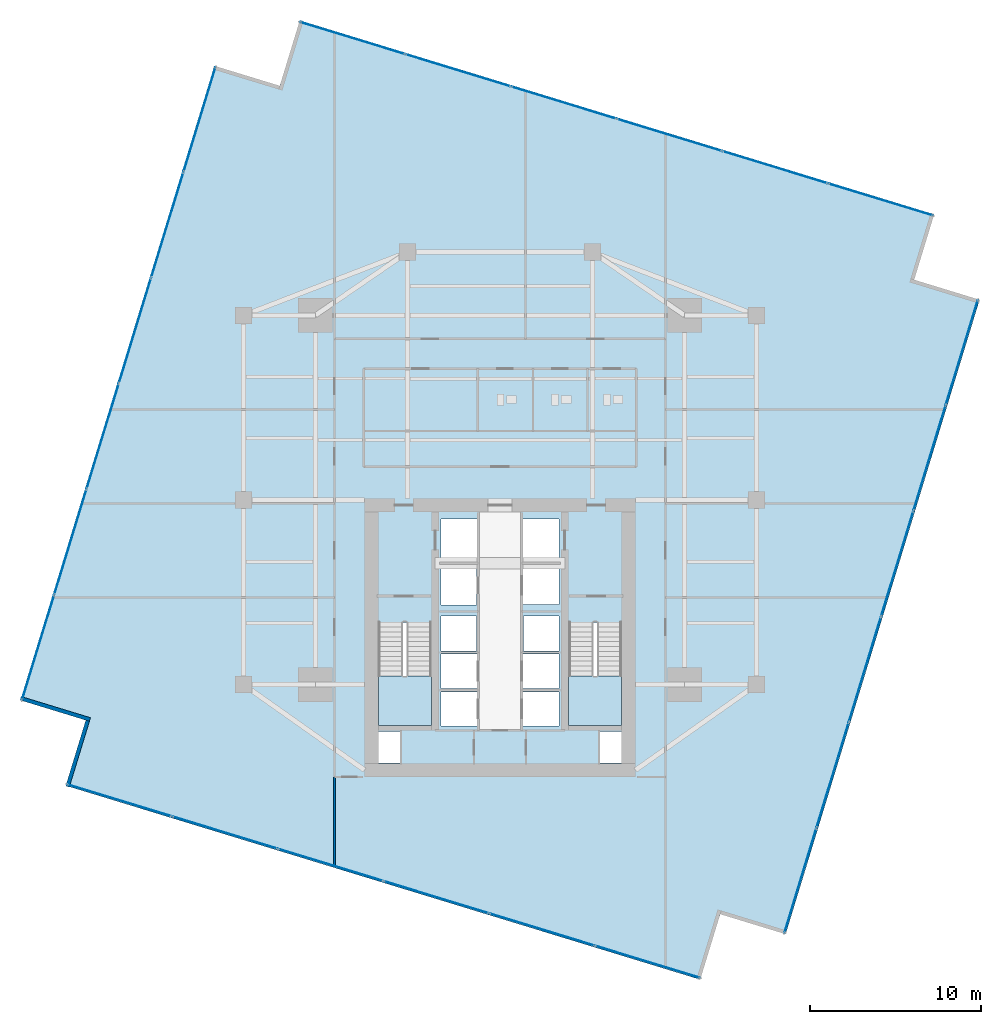
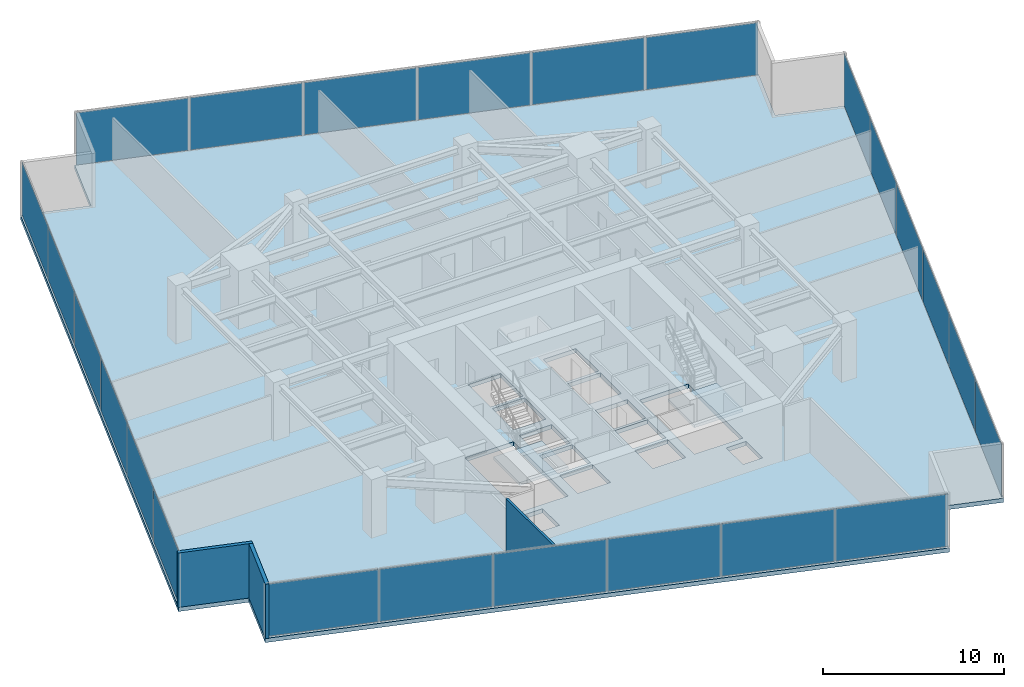
# One storey, part 21 of 26: 24 plates, 3 slabs, 3 walls, 6 elements without a shape of their own.
"""IFC4 building model written with IfcOpenShell, lengths in metres."""

import ifcopenshell
import ifcopenshell.guid

model = None  # the IFC model being written
_history = None  # IfcOwnerHistory: only IFC2X3 demands one
_inside = {}  # id of a spatial element -> (the spatial element, [elements in it])
_under = {}  # id of a project, library or spatial element -> (it, [spatial elements below it])
_declared = {}  # id of a project -> (the project, [libraries it declares])
_typed = {}  # id of a type object -> (the type object, [elements of that type])
_made_of = {}  # id of a material, layer set ... -> (it, [elements and type objects made of it])


def new_model(schema):
    """Start an empty IFC model of exactly this schema.

    Asked for "IFC4X3", IfcOpenShell would pick the latest addendum, in which some entities
    have other attributes; the version numbers below select the first issue.
    IFC2X3 requires an IfcOwnerHistory on every rooted entity: one is made here for all.
    """
    global model, _history
    if schema == "IFC4X3":
        model = ifcopenshell.file(schema_version=(4, 3, 0, 0))
    else:
        model = ifcopenshell.file(schema=schema)
    _inside.clear()
    _under.clear()
    _declared.clear()
    _typed.clear()
    _made_of.clear()
    _history = None
    if model.schema == "IFC2X3":
        org = make("IfcOrganization", Name="unknown")
        user = make(
            "IfcPersonAndOrganization",
            ThePerson=make("IfcPerson", FamilyName="unknown"),
            TheOrganization=org,
        )
        app = make(
            "IfcApplication",
            ApplicationDeveloper=org,
            Version="unknown",
            ApplicationFullName="unknown",
            ApplicationIdentifier="unknown",
        )
        _history = make(
            "IfcOwnerHistory",
            OwningUser=user,
            OwningApplication=app,
            ChangeAction="ADDED",
            CreationDate=0,
        )
    return model


def make(cls, **values):
    """One entity of the class cls with the attributes given. An attribute that is None is left unset."""
    return model.create_entity(
        cls, **{name: value for name, value in values.items() if value is not None}
    )


def rooted(cls, **values):
    """An entity with a GlobalId (a new one), such as an element, a storey or a relation."""
    return make(cls, GlobalId=ifcopenshell.guid.new(), OwnerHistory=_history, **values)


def si_unit(unit_type, name, prefix=None):
    """IfcSIUnit, for example si_unit("LENGTHUNIT", "METRE", prefix="MILLI")."""
    return make("IfcSIUnit", UnitType=unit_type, Prefix=prefix, Name=name)


def assignment(units):
    """IfcUnitAssignment: the units of a project."""
    return None if units is None else make("IfcUnitAssignment", Units=units)


def point(xyz):
    """IfcCartesianPoint."""
    return None if xyz is None else make("IfcCartesianPoint", Coordinates=xyz)


def direction(xyz):
    """IfcDirection."""
    return None if xyz is None else make("IfcDirection", DirectionRatios=xyz)


def frame(location, z_axis=None, x_axis=None):
    """IfcAxis2Placement3D, a coordinate frame: its origin and axes. An axis left out is left unset."""
    return make(
        "IfcAxis2Placement3D",
        Location=point(location),
        Axis=direction(z_axis),
        RefDirection=direction(x_axis),
    )


def frame_2d(location, x_axis=None):
    """IfcAxis2Placement2D, a coordinate frame in the plane: its origin and x axis."""
    return make(
        "IfcAxis2Placement2D", Location=point(location), RefDirection=direction(x_axis)
    )


def origin():
    """The frame at (0, 0, 0) with its axes left unset."""
    return frame((0.0, 0.0, 0.0))


def origin_2d():
    """The frame at (0, 0) in the plane with its x axis left unset."""
    return frame_2d((0.0, 0.0))


def place(relative_to, where):
    """IfcLocalPlacement: puts the frame where relative to a parent placement (None: the world)."""
    return make(
        "IfcLocalPlacement", PlacementRelTo=relative_to, RelativePlacement=where
    )


def context(
    kind, dimensions, precision=None, world=None, true_north=None, identifier=None
):
    """IfcGeometricRepresentationContext, for example the 3D "Model" context."""
    return make(
        "IfcGeometricRepresentationContext",
        ContextIdentifier=identifier,
        ContextType=kind,
        CoordinateSpaceDimension=dimensions,
        Precision=precision,
        WorldCoordinateSystem=world,
        TrueNorth=true_north,
    )


def subcontext(parent, identifier, kind, view, scale=None):
    """IfcGeometricRepresentationSubContext, for example "Body" below "Model"."""
    return make(
        "IfcGeometricRepresentationSubContext",
        ContextIdentifier=identifier,
        ContextType=kind,
        ParentContext=parent,
        TargetScale=scale,
        TargetView=view,
    )


def project(units=None, contexts=None):
    """IfcProject with its units and contexts."""
    return rooted(
        "IfcProject",
        Name="project",
        RepresentationContexts=contexts,
        UnitsInContext=assignment(units),
    )


def spatial(cls, under=None, at=None, **own):
    """A site, building, storey or space (cls), placed at a placement, below another one or the project."""
    s = rooted(cls, ObjectPlacement=at, **own)
    if under is not None:
        _under.setdefault(under.id(), (under, []))[1].append(s)
    return s


def polyline(points):
    """IfcPolyline through the points."""
    return make("IfcPolyline", Points=[point(p) for p in points])


def profile(cls, at=None, kind="AREA", **sizes):
    """A parametric profile (cls). Its sizes go by their IFC names, for example OverallWidth=200.0."""
    return make(cls, ProfileType=kind, Position=at, **sizes)


def rectangle(**sizes):
    """IfcRectangleProfileDef."""
    return profile("IfcRectangleProfileDef", **sizes)


def outline(outer, holes=None, kind="AREA"):
    """IfcArbitraryClosedProfileDef: a profile drawn as a closed curve; with holes, ...WithVoids."""
    if holes is None:
        return make("IfcArbitraryClosedProfileDef", ProfileType=kind, OuterCurve=outer)
    return make(
        "IfcArbitraryProfileDefWithVoids",
        ProfileType=kind,
        OuterCurve=outer,
        InnerCurves=holes,
    )


def extrude(swept, where, along, depth):
    """IfcExtrudedAreaSolid: the profile swept, set in the frame where, extruded along a direction by depth."""
    return make(
        "IfcExtrudedAreaSolid",
        SweptArea=swept,
        Position=where,
        ExtrudedDirection=direction(along),
        Depth=depth,
    )


def shape(context_of_items, identifier, shape_type, items):
    """IfcShapeRepresentation: the items that make up one representation, for example the "Body"."""
    return make(
        "IfcShapeRepresentation",
        ContextOfItems=context_of_items,
        RepresentationIdentifier=identifier,
        RepresentationType=shape_type,
        Items=items,
    )


def source(mapping_origin, context_of_items, identifier, shape_type, items):
    """IfcRepresentationMap: a shape defined once, which mapped items show again and again."""
    return make(
        "IfcRepresentationMap",
        MappingOrigin=mapping_origin,
        MappedRepresentation=shape(context_of_items, identifier, shape_type, items),
    )


def transform(
    local_origin,
    x_axis=None,
    y_axis=None,
    z_axis=None,
    scale=None,
    scale2=None,
    scale3=None,
    uniform=True,
):
    """IfcCartesianTransformationOperator3D, or its non-uniform kind. x_axis, y_axis, z_axis: its Axis1, 2, 3."""
    if uniform:
        return make(
            "IfcCartesianTransformationOperator3D",
            Axis1=direction(x_axis),
            Axis2=direction(y_axis),
            LocalOrigin=point(local_origin),
            Scale=scale,
            Axis3=direction(z_axis),
        )
    return make(
        "IfcCartesianTransformationOperator3DnonUniform",
        Axis1=direction(x_axis),
        Axis2=direction(y_axis),
        LocalOrigin=point(local_origin),
        Scale=scale,
        Axis3=direction(z_axis),
        Scale2=scale2,
        Scale3=scale3,
    )


def mapped(mapping_source, mapping_target):
    """IfcMappedItem: shows the shape of a source again, moved by a transform."""
    return make(
        "IfcMappedItem", MappingSource=mapping_source, MappingTarget=mapping_target
    )


def material(Name=None, Category=None):
    """IfcMaterial."""
    return make("IfcMaterial", Name=Name, Category=Category)


def layer(
    of_material, thickness, ventilated=None, Name=None, Category=None, Priority=None
):
    """IfcMaterialLayer: one layer of a wall or slab, of a material (None: an air gap)."""
    return make(
        "IfcMaterialLayer",
        Material=of_material,
        LayerThickness=thickness,
        IsVentilated=ventilated,
        Name=Name,
        Category=Category,
        Priority=Priority,
    )


def layer_set(layers, Name=None):
    """IfcMaterialLayerSet."""
    return make("IfcMaterialLayerSet", MaterialLayers=layers, LayerSetName=Name)


def made_of(thing, what):
    """Note that an element or type object is made of a material, layer set ...; save() writes the relation."""
    if what is not None:
        _made_of.setdefault(what.id(), (what, []))[1].append(thing)
    return thing


def type_object(cls, material=None, **own):
    """A type object (cls), such as IfcWallType, which elements share."""
    return made_of(rooted(cls, **own), material)


def type_shapes(of_type, sources):
    """Give a type object the sources (RepresentationMaps) that its elements show as mapped items."""
    of_type.RepresentationMaps = sources


def element(
    cls,
    number,
    at=None,
    inside=None,
    cuts=None,
    type_object=None,
    material=None,
    context=None,
    identifier="Body",
    shape_type=None,
    held_by="IfcProductDefinitionShape",
    body=None,
    shapes=None,
    **own,
):
    """One element of the class cls, such as IfcWall. Its Tag is "e" and its number.

    at: its placement. inside: the storey or other place that contains it. cuts: it is an
    opening in that element (IfcRelVoidsElement). A single representation is given by context,
    identifier, shape_type and body (its items); several are given by shapes. held_by: the class
    of the entity that holds the representations. save() writes the other relations.
    """
    e = rooted(cls, Tag="e%d" % number, ObjectPlacement=at, **own)
    if body is not None:
        shapes = [shape(context, identifier, shape_type, body)]
    if shapes is not None:
        e.Representation = make(held_by, Representations=shapes)
    if inside is not None:
        _inside.setdefault(inside.id(), (inside, []))[1].append(e)
    if cuts is not None:
        rooted(
            "IfcRelVoidsElement", RelatingBuildingElement=cuts, RelatedOpeningElement=e
        )
    if type_object is not None:
        _typed.setdefault(type_object.id(), (type_object, []))[1].append(e)
    return made_of(e, material)


def aggregate(whole, parts):
    """IfcRelAggregates: a whole, such as a stair, and the parts it consists of."""
    return rooted("IfcRelAggregates", RelatingObject=whole, RelatedObjects=parts)


def save(model, path):
    """Write the relations noted so far, then the file.

    IfcRelAggregates (storeys below a building ...), IfcRelContainedInSpatialStructure (elements
    in a storey), IfcRelDefinesByType, IfcRelAssociatesMaterial and IfcRelDeclares: one each for
    every whole, place, type object, material and project.
    """
    for whole, parts in _under.values():
        aggregate(whole, parts)
    for where, things in _inside.values():
        rooted(
            "IfcRelContainedInSpatialStructure",
            RelatedElements=things,
            RelatingStructure=where,
        )
    for kind, things in _typed.values():
        rooted("IfcRelDefinesByType", RelatedObjects=things, RelatingType=kind)
    for what, things in _made_of.values():
        rooted("IfcRelAssociatesMaterial", RelatedObjects=things, RelatingMaterial=what)
    for by, libraries in _declared.values():
        rooted("IfcRelDeclares", RelatingContext=by, RelatedDefinitions=libraries)
    model.write(path)


model = new_model("IFC4")

# Units and contexts
model_context = context("Model", 3, precision=1e-05, world=origin(), true_north=direction((0.0, 1.0)))
body_context = subcontext(model_context, "Body", "Model", "MODEL_VIEW")
ifc_project = project(units=[si_unit("LENGTHUNIT", "METRE"), si_unit("AREAUNIT", "SQUARE_METRE"), si_unit("VOLUMEUNIT", "CUBIC_METRE"), si_unit("PLANEANGLEUNIT", "RADIAN"), si_unit("MASSUNIT", "GRAM", prefix="KILO")], contexts=[model_context])

# Site, building, storey
site_placement = place(None, origin())
site = spatial("IfcSite", under=ifc_project, at=site_placement, CompositionType="ELEMENT")
building_placement = place(site_placement, origin())
building = spatial("IfcBuilding", under=site, at=building_placement, Name="Krantzveldt Concourse Tower", CompositionType="ELEMENT")
storey_placement = place(building_placement, frame((0.0, 0.0, 109.800048828125)))
storey = spatial("IfcBuildingStorey", under=building, at=storey_placement, Name="L26", CompositionType="ELEMENT", Elevation=109.800048828125)

# Stair, slab
ifc_material_1 = material(Name="Precast concrete C40/50", Category="concrete")
stair_type = type_object("IfcStairType", Name="STR-CORE-DOGLEG", PredefinedType="HALF_TURN_STAIR", material=ifc_material_1)
stair_1_placement = place(storey_placement, origin())
stair_1 = element("IfcStair", 1, at=stair_1_placement, inside=storey, type_object=stair_type, Name="L26 Protected Escape Stair ST-1", PredefinedType="HALF_TURN_STAIR")
ifc_layer_1 = layer(ifc_material_1, 0.199951171875, Name="Precast concrete C40/50", Category="concrete")
ifc_layer_set_1 = layer_set([ifc_layer_1], Name="Precast concrete C40/50 (SL-LANDING-200)")
slab_type_1 = type_object("IfcSlabType", Name="SL-LANDING-200", PredefinedType="LANDING", material=ifc_layer_set_1)
slab_1_placement = place(storey_placement, frame((0.0, 0.0, 1.77490234375)))
slab_1 = element("IfcSlab", 2, at=slab_1_placement, type_object=slab_type_1, Name="ST-1 landing 1", PredefinedType="LANDING", context=body_context, shape_type="SweptSolid", body=[
    extrude(outline(polyline([(28.8798828125, 16.4150390625), (28.8798828125, 13.52001953125), (31.97998046875, 13.52001953125), (31.97998046875, 16.4150390625), (28.8798828125, 16.4150390625)])), origin(), (0.0, 0.0, 1.0), 0.199951171875),
])
aggregate(stair_1, [slab_1])

stair_2_placement = place(storey_placement, origin())
stair_2 = element("IfcStair", 3, at=stair_2_placement, inside=storey, type_object=stair_type, Name="L26 Protected Escape Stair ST-2", PredefinedType="HALF_TURN_STAIR")
slab_2_placement = place(storey_placement, frame((0.0, 0.0, 1.77490234375)))
slab_2 = element("IfcSlab", 4, at=slab_2_placement, type_object=slab_type_1, Name="ST-2 landing 1", PredefinedType="LANDING", context=body_context, shape_type="SweptSolid", body=[
    extrude(outline(polyline([(40.02001953125, 16.4150390625), (40.02001953125, 13.52001953125), (43.1201171875, 13.52001953125), (43.1201171875, 16.4150390625), (40.02001953125, 16.4150390625)])), origin(), (0.0, 0.0, 1.0), 0.199951171875),
])
aggregate(stair_2, [slab_2])

# Slab
ifc_material_2 = material(Name="Concrete C40/50", Category="concrete")
ifc_layer_2 = layer(ifc_material_2, 0.280029296875, Name="Concrete C40/50", Category="concrete")
ifc_layer_set_2 = layer_set([ifc_layer_2], Name="Concrete C40/50 (SL-SL-TWR280)")
slab_type_2 = type_object("IfcSlabType", Name="SL-SL-TWR280", PredefinedType="FLOOR", material=ifc_layer_set_2)
slab_3_placement = place(storey_placement, frame((0.0, 0.0, -0.280029296875)))
element("IfcSlab", 5, at=slab_3_placement, inside=storey, type_object=slab_type_2, Name="SL-L26-MAIN", PredefinedType="FLOOR", context=body_context, shape_type="SweptSolid", body=[
    extrude(outline(polyline([(23.11962890625, 50.92431640625), (19.29443359375, 52.09375), (7.950439453125, 14.9892578125), (11.775634765625, 13.819580078125), (10.606201171875, 9.994384765625), (47.710693359375, -1.349609375), (48.88037109375, 2.4755859375), (52.70556640625, 1.30615234375), (64.049560546875, 38.410888671875), (60.224365234375, 39.580322265625), (61.393798828125, 43.405517578125), (24.289306640625, 54.74951171875), (23.11962890625, 50.92431640625)]), holes=[polyline([(28.8798828125, 19.547607421875), (28.8798828125, 13.52001953125), (31.97998046875, 13.52001953125), (31.97998046875, 19.547607421875), (28.8798828125, 19.547607421875)]), polyline([(40.02001953125, 19.547607421875), (40.02001953125, 13.52001953125), (43.1201171875, 13.52001953125), (43.1201171875, 19.547607421875), (40.02001953125, 19.547607421875)]), polyline([(32.550048828125, 23.10009765625), (34.64990234375, 23.10009765625), (34.64990234375, 25.60009765625), (32.550048828125, 25.60009765625), (32.550048828125, 23.10009765625)]), polyline([(37.35009765625, 23.10009765625), (39.449951171875, 23.10009765625), (39.449951171875, 25.60009765625), (37.35009765625, 25.60009765625), (37.35009765625, 23.10009765625)]), polyline([(37.35009765625, 20.60009765625), (39.449951171875, 20.60009765625), (39.449951171875, 22.89990234375), (37.35009765625, 22.89990234375), (37.35009765625, 20.60009765625)]), polyline([(32.550048828125, 13.47998046875), (34.64990234375, 13.47998046875), (34.64990234375, 15.47998046875), (32.550048828125, 15.47998046875), (32.550048828125, 13.47998046875)]), polyline([(32.550048828125, 15.679931640625), (34.64990234375, 15.679931640625), (34.64990234375, 17.679931640625), (32.550048828125, 17.679931640625), (32.550048828125, 15.679931640625)]), polyline([(37.35009765625, 13.47998046875), (39.449951171875, 13.47998046875), (39.449951171875, 15.47998046875), (37.35009765625, 15.47998046875), (37.35009765625, 13.47998046875)]), polyline([(37.35009765625, 15.679931640625), (39.449951171875, 15.679931640625), (39.449951171875, 17.679931640625), (37.35009765625, 17.679931640625), (37.35009765625, 15.679931640625)]), polyline([(32.550048828125, 20.550048828125), (34.6201171875, 20.550048828125), (34.6201171875, 22.89990234375), (32.550048828125, 22.89990234375), (32.550048828125, 20.550048828125)]), polyline([(32.550048828125, 17.8798828125), (34.6201171875, 17.8798828125), (34.6201171875, 19.919921875), (32.550048828125, 19.919921875), (32.550048828125, 17.8798828125)]), polyline([(37.3798828125, 17.8798828125), (39.449951171875, 17.8798828125), (39.449951171875, 19.919921875), (37.3798828125, 19.919921875), (37.3798828125, 17.8798828125)]), polyline([(28.8798828125, 11.320068359375), (30.139892578125, 11.320068359375), (30.139892578125, 13.159912109375), (28.8798828125, 13.159912109375), (28.8798828125, 11.320068359375)]), polyline([(41.860107421875, 11.320068359375), (43.1201171875, 11.320068359375), (43.1201171875, 13.159912109375), (41.860107421875, 13.159912109375), (41.860107421875, 11.320068359375)])]), origin(), (0.0, 0.0, 1.0), 0.280029296875),
])

# Curtain wall, plates
ifc_material_3 = material(Name="Anodised aluminium 6063-T6", Category="aluminium")
curtain_wall_type = type_object("IfcCurtainWallType", Name="CW2", PredefinedType="USERDEFINED", material=ifc_material_3)
curtain_wall_1_placement = place(storey_placement, origin())
curtain_wall_1 = element("IfcCurtainWall", 6, at=curtain_wall_1_placement, inside=storey, type_object=curtain_wall_type, Name="CW-L26-F01", ObjectType="UNITISED CURTAIN WALL", PredefinedType="USERDEFINED")
ifc_material_4 = material(Name="Bronze-tinted laminated low-E IGU glass", Category="glass")
ifc_layer_3 = layer(ifc_material_4, 0.031982421875, Name="Bronze-tinted laminated low-E IGU glass", Category="glass")
ifc_layer_set_3 = layer_set([ifc_layer_3], Name="Bronze-tinted laminated low-E IGU glass (CW-GLZ-32)")
plate_type = type_object("IfcPlateType", Name="CW-GLZ-32", PredefinedType="CURTAIN_PANEL", material=ifc_layer_set_3)
shared_shape_1 = source(origin(), body_context, "Body", "SweptSolid", [
    extrude(rectangle(XDim=6.361572265625, YDim=0.031982421875, at=origin_2d()), origin(), (0.0, 0.0, 1.0), 3.530029296875),
])
plate_1_placement = place(storey_placement, frame((18.43017578125, 48.958740234375, 0.06982421875), z_axis=(0.0, 0.0, 1.0), x_axis=(-0.292371686864, -0.956304761423, 0.0)))
plate_1 = element("IfcPlate", 7, at=plate_1_placement, type_object=plate_type, Name="CW-Z12 panel 1.1", PredefinedType="CURTAIN_PANEL", context=body_context, shape_type="MappedRepresentation", body=[
    mapped(shared_shape_1, transform((0.0, 0.0, 0.0), x_axis=(1.0, 0.0, 0.0), y_axis=(0.0, 1.0, 0.0), z_axis=(0.0, 0.0, 1.0), scale=1.0)),
])
plate_2_placement = place(storey_placement, frame((8.987060546875, 18.07177734375, 0.06982421875), z_axis=(0.0, 0.0, 1.0), x_axis=(-0.292371686864, -0.956304761423, 0.0)))
plate_2 = element("IfcPlate", 8, at=plate_2_placement, type_object=plate_type, Name="CW-Z12 panel 6.1", PredefinedType="CURTAIN_PANEL", context=body_context, shape_type="MappedRepresentation", body=[
    mapped(shared_shape_1, transform((0.0, 0.0, 0.0), x_axis=(1.0, 0.0, 0.0), y_axis=(0.0, 1.0, 0.0), z_axis=(0.0, 0.0, 1.0), scale=1.0)),
])

curtain_wall_2_placement = place(storey_placement, origin())
curtain_wall_2 = element("IfcCurtainWall", 9, at=curtain_wall_2_placement, inside=storey, type_object=curtain_wall_type, Name="CW-L26-F04", ObjectType="UNITISED CURTAIN WALL", PredefinedType="USERDEFINED")
plate_3_placement = place(storey_placement, frame((13.7412109375, 9.130126953125, 0.06982421875), z_axis=(0.0, 0.0, 1.0), x_axis=(0.956304761423, -0.292371686864, 0.0)))
plate_3 = element("IfcPlate", 10, at=plate_3_placement, type_object=plate_type, Name="CW-Z12 panel 1.1", PredefinedType="CURTAIN_PANEL", context=body_context, shape_type="MappedRepresentation", body=[
    mapped(shared_shape_1, transform((0.0, 0.0, 0.0), x_axis=(1.0, 0.0, 0.0), y_axis=(0.0, 1.0, 0.0), z_axis=(0.0, 0.0, 1.0), scale=1.0)),
])
plate_4_placement = place(storey_placement, frame((44.62841796875, -0.31298828125, 0.06982421875), z_axis=(0.0, 0.0, 1.0), x_axis=(0.956304761423, -0.292371686864, 0.0)))
plate_4 = element("IfcPlate", 11, at=plate_4_placement, type_object=plate_type, Name="CW-Z12 panel 6.1", PredefinedType="CURTAIN_PANEL", context=body_context, shape_type="MappedRepresentation", body=[
    mapped(shared_shape_1, transform((0.0, 0.0, 0.0), x_axis=(1.0, 0.0, 0.0), y_axis=(0.0, 1.0, 0.0), z_axis=(0.0, 0.0, 1.0), scale=1.0)),
])

curtain_wall_3_placement = place(storey_placement, origin())
curtain_wall_3 = element("IfcCurtainWall", 12, at=curtain_wall_3_placement, inside=storey, type_object=curtain_wall_type, Name="CW-L26-F07", ObjectType="UNITISED CURTAIN WALL", PredefinedType="USERDEFINED")
plate_5_placement = place(storey_placement, frame((53.56982421875, 4.44140625, 0.06982421875), z_axis=(0.0, 0.0, 1.0), x_axis=(0.292371686864, 0.956304761423, 0.0)))
plate_5 = element("IfcPlate", 13, at=plate_5_placement, type_object=plate_type, Name="CW-Z12 panel 1.1", PredefinedType="CURTAIN_PANEL", context=body_context, shape_type="MappedRepresentation", body=[
    mapped(shared_shape_1, transform((0.0, 0.0, 0.0), x_axis=(1.0, 0.0, 0.0), y_axis=(0.0, 1.0, 0.0), z_axis=(0.0, 0.0, 1.0), scale=1.0)),
])
plate_6_placement = place(storey_placement, frame((63.012939453125, 35.328369140625, 0.06982421875), z_axis=(0.0, 0.0, 1.0), x_axis=(0.292371686864, 0.956304761423, 0.0)))
plate_6 = element("IfcPlate", 14, at=plate_6_placement, type_object=plate_type, Name="CW-Z12 panel 6.1", PredefinedType="CURTAIN_PANEL", context=body_context, shape_type="MappedRepresentation", body=[
    mapped(shared_shape_1, transform((0.0, 0.0, 0.0), x_axis=(1.0, 0.0, 0.0), y_axis=(0.0, 1.0, 0.0), z_axis=(0.0, 0.0, 1.0), scale=1.0)),
])

curtain_wall_4_placement = place(storey_placement, origin())
curtain_wall_4 = element("IfcCurtainWall", 15, at=curtain_wall_4_placement, inside=storey, type_object=curtain_wall_type, Name="CW-L26-F10", ObjectType="UNITISED CURTAIN WALL", PredefinedType="USERDEFINED")
plate_7_placement = place(storey_placement, frame((58.2587890625, 44.27001953125, 0.06982421875), z_axis=(0.0, 0.0, 1.0), x_axis=(-0.956304761423, 0.292371686864, 0.0)))
plate_7 = element("IfcPlate", 16, at=plate_7_placement, type_object=plate_type, Name="CW-Z12 panel 1.1", PredefinedType="CURTAIN_PANEL", context=body_context, shape_type="MappedRepresentation", body=[
    mapped(shared_shape_1, transform((0.0, 0.0, 0.0), x_axis=(1.0, 0.0, 0.0), y_axis=(0.0, 1.0, 0.0), z_axis=(0.0, 0.0, 1.0), scale=1.0)),
])
plate_8_placement = place(storey_placement, frame((27.37158203125, 53.713134765625, 0.06982421875), z_axis=(0.0, 0.0, 1.0), x_axis=(-0.956304761423, 0.292371686864, 0.0)))
plate_8 = element("IfcPlate", 17, at=plate_8_placement, type_object=plate_type, Name="CW-Z12 panel 6.1", PredefinedType="CURTAIN_PANEL", context=body_context, shape_type="MappedRepresentation", body=[
    mapped(shared_shape_1, transform((0.0, 0.0, 0.0), x_axis=(1.0, 0.0, 0.0), y_axis=(0.0, 1.0, 0.0), z_axis=(0.0, 0.0, 1.0), scale=1.0)),
])

# Plate
shared_shape_2 = source(origin(), body_context, "Body", "SweptSolid", [
    extrude(rectangle(XDim=6.396728515625, YDim=0.031982421875, at=origin_2d()), origin(), (0.0, 0.0, 1.0), 3.530029296875),
])
type_shapes(plate_type, [shared_shape_1, shared_shape_2])
plate_9_placement = place(storey_placement, frame((16.54443359375, 42.791259765625, 0.06982421875), z_axis=(0.0, 0.0, 1.0), x_axis=(-0.292371686864, -0.956304761423, 0.0)))
plate_9 = element("IfcPlate", 18, at=plate_9_placement, type_object=plate_type, Name="CW-Z12 panel 2.1", PredefinedType="CURTAIN_PANEL", context=body_context, shape_type="MappedRepresentation", body=[
    mapped(shared_shape_2, transform((0.0, 0.0, 0.0), x_axis=(1.0, 0.0, 0.0), y_axis=(0.0, 1.0, 0.0), z_axis=(0.0, 0.0, 1.0), scale=1.0)),
])

plate_10_placement = place(storey_placement, frame((14.65380859375, 36.607177734375, 0.06982421875), z_axis=(0.0, 0.0, 1.0), x_axis=(-0.292371686864, -0.956304761423, 0.0)))
plate_10 = element("IfcPlate", 19, at=plate_10_placement, type_object=plate_type, Name="CW-Z12 panel 3.1", PredefinedType="CURTAIN_PANEL", context=body_context, shape_type="MappedRepresentation", body=[
    mapped(shared_shape_2, transform((0.0, 0.0, 0.0), x_axis=(1.0, 0.0, 0.0), y_axis=(0.0, 1.0, 0.0), z_axis=(0.0, 0.0, 1.0), scale=1.0)),
])

plate_11_placement = place(storey_placement, frame((12.76318359375, 30.423095703125, 0.06982421875), z_axis=(0.0, 0.0, 1.0), x_axis=(-0.292371686864, -0.956304761423, 0.0)))
plate_11 = element("IfcPlate", 20, at=plate_11_placement, type_object=plate_type, Name="CW-Z12 panel 4.1", PredefinedType="CURTAIN_PANEL", context=body_context, shape_type="MappedRepresentation", body=[
    mapped(shared_shape_2, transform((0.0, 0.0, 0.0), x_axis=(1.0, 0.0, 0.0), y_axis=(0.0, 1.0, 0.0), z_axis=(0.0, 0.0, 1.0), scale=1.0)),
])

plate_12_placement = place(storey_placement, frame((10.87255859375, 24.239013671875, 0.06982421875), z_axis=(0.0, 0.0, 1.0), x_axis=(-0.292371686864, -0.956304761423, 0.0)))
plate_12 = element("IfcPlate", 21, at=plate_12_placement, type_object=plate_type, Name="CW-Z12 panel 5.1", PredefinedType="CURTAIN_PANEL", context=body_context, shape_type="MappedRepresentation", body=[
    mapped(shared_shape_2, transform((0.0, 0.0, 0.0), x_axis=(1.0, 0.0, 0.0), y_axis=(0.0, 1.0, 0.0), z_axis=(0.0, 0.0, 1.0), scale=1.0)),
])

aggregate(curtain_wall_1, [plate_1, plate_9, plate_10, plate_11, plate_12, plate_2])

plate_13_placement = place(storey_placement, frame((19.90869140625, 7.24462890625, 0.06982421875), z_axis=(0.0, 0.0, 1.0), x_axis=(0.956304761423, -0.292371686864, 0.0)))
plate_13 = element("IfcPlate", 22, at=plate_13_placement, type_object=plate_type, Name="CW-Z12 panel 2.1", PredefinedType="CURTAIN_PANEL", context=body_context, shape_type="MappedRepresentation", body=[
    mapped(shared_shape_2, transform((0.0, 0.0, 0.0), x_axis=(1.0, 0.0, 0.0), y_axis=(0.0, 1.0, 0.0), z_axis=(0.0, 0.0, 1.0), scale=1.0)),
])

plate_14_placement = place(storey_placement, frame((26.0927734375, 5.353759765625, 0.06982421875), z_axis=(0.0, 0.0, 1.0), x_axis=(0.956304761423, -0.292371686864, 0.0)))
plate_14 = element("IfcPlate", 23, at=plate_14_placement, type_object=plate_type, Name="CW-Z12 panel 3.1", PredefinedType="CURTAIN_PANEL", context=body_context, shape_type="MappedRepresentation", body=[
    mapped(shared_shape_2, transform((0.0, 0.0, 0.0), x_axis=(1.0, 0.0, 0.0), y_axis=(0.0, 1.0, 0.0), z_axis=(0.0, 0.0, 1.0), scale=1.0)),
])

plate_15_placement = place(storey_placement, frame((32.27685546875, 3.463134765625, 0.06982421875), z_axis=(0.0, 0.0, 1.0), x_axis=(0.956304761423, -0.292371686864, 0.0)))
plate_15 = element("IfcPlate", 24, at=plate_15_placement, type_object=plate_type, Name="CW-Z12 panel 4.1", PredefinedType="CURTAIN_PANEL", context=body_context, shape_type="MappedRepresentation", body=[
    mapped(shared_shape_2, transform((0.0, 0.0, 0.0), x_axis=(1.0, 0.0, 0.0), y_axis=(0.0, 1.0, 0.0), z_axis=(0.0, 0.0, 1.0), scale=1.0)),
])

plate_16_placement = place(storey_placement, frame((38.4609375, 1.572509765625, 0.06982421875), z_axis=(0.0, 0.0, 1.0), x_axis=(0.956304761423, -0.292371686864, 0.0)))
plate_16 = element("IfcPlate", 25, at=plate_16_placement, type_object=plate_type, Name="CW-Z12 panel 5.1", PredefinedType="CURTAIN_PANEL", context=body_context, shape_type="MappedRepresentation", body=[
    mapped(shared_shape_2, transform((0.0, 0.0, 0.0), x_axis=(1.0, 0.0, 0.0), y_axis=(0.0, 1.0, 0.0), z_axis=(0.0, 0.0, 1.0), scale=1.0)),
])

aggregate(curtain_wall_2, [plate_3, plate_13, plate_14, plate_15, plate_16, plate_4])

plate_17_placement = place(storey_placement, frame((55.45556640625, 10.608642578125, 0.06982421875), z_axis=(0.0, 0.0, 1.0), x_axis=(0.292371686864, 0.956304761423, 0.0)))
plate_17 = element("IfcPlate", 26, at=plate_17_placement, type_object=plate_type, Name="CW-Z12 panel 2.1", PredefinedType="CURTAIN_PANEL", context=body_context, shape_type="MappedRepresentation", body=[
    mapped(shared_shape_2, transform((0.0, 0.0, 0.0), x_axis=(1.0, 0.0, 0.0), y_axis=(0.0, 1.0, 0.0), z_axis=(0.0, 0.0, 1.0), scale=1.0)),
])

plate_18_placement = place(storey_placement, frame((57.34619140625, 16.792724609375, 0.06982421875), z_axis=(0.0, 0.0, 1.0), x_axis=(0.292371686864, 0.956304761423, 0.0)))
plate_18 = element("IfcPlate", 27, at=plate_18_placement, type_object=plate_type, Name="CW-Z12 panel 3.1", PredefinedType="CURTAIN_PANEL", context=body_context, shape_type="MappedRepresentation", body=[
    mapped(shared_shape_2, transform((0.0, 0.0, 0.0), x_axis=(1.0, 0.0, 0.0), y_axis=(0.0, 1.0, 0.0), z_axis=(0.0, 0.0, 1.0), scale=1.0)),
])

plate_19_placement = place(storey_placement, frame((59.23681640625, 22.976806640625, 0.06982421875), z_axis=(0.0, 0.0, 1.0), x_axis=(0.292371686864, 0.956304761423, 0.0)))
plate_19 = element("IfcPlate", 28, at=plate_19_placement, type_object=plate_type, Name="CW-Z12 panel 4.1", PredefinedType="CURTAIN_PANEL", context=body_context, shape_type="MappedRepresentation", body=[
    mapped(shared_shape_2, transform((0.0, 0.0, 0.0), x_axis=(1.0, 0.0, 0.0), y_axis=(0.0, 1.0, 0.0), z_axis=(0.0, 0.0, 1.0), scale=1.0)),
])

plate_20_placement = place(storey_placement, frame((61.12744140625, 29.160888671875, 0.06982421875), z_axis=(0.0, 0.0, 1.0), x_axis=(0.292371686864, 0.956304761423, 0.0)))
plate_20 = element("IfcPlate", 29, at=plate_20_placement, type_object=plate_type, Name="CW-Z12 panel 5.1", PredefinedType="CURTAIN_PANEL", context=body_context, shape_type="MappedRepresentation", body=[
    mapped(shared_shape_2, transform((0.0, 0.0, 0.0), x_axis=(1.0, 0.0, 0.0), y_axis=(0.0, 1.0, 0.0), z_axis=(0.0, 0.0, 1.0), scale=1.0)),
])

aggregate(curtain_wall_3, [plate_5, plate_17, plate_18, plate_19, plate_20, plate_6])

plate_21_placement = place(storey_placement, frame((52.09130859375, 46.155517578125, 0.06982421875), z_axis=(0.0, 0.0, 1.0), x_axis=(-0.956304761423, 0.292371686864, 0.0)))
plate_21 = element("IfcPlate", 30, at=plate_21_placement, type_object=plate_type, Name="CW-Z12 panel 2.1", PredefinedType="CURTAIN_PANEL", context=body_context, shape_type="MappedRepresentation", body=[
    mapped(shared_shape_2, transform((0.0, 0.0, 0.0), x_axis=(1.0, 0.0, 0.0), y_axis=(0.0, 1.0, 0.0), z_axis=(0.0, 0.0, 1.0), scale=1.0)),
])

plate_22_placement = place(storey_placement, frame((45.9072265625, 48.046142578125, 0.06982421875), z_axis=(0.0, 0.0, 1.0), x_axis=(-0.956304761423, 0.292371686864, 0.0)))
plate_22 = element("IfcPlate", 31, at=plate_22_placement, type_object=plate_type, Name="CW-Z12 panel 3.1", PredefinedType="CURTAIN_PANEL", context=body_context, shape_type="MappedRepresentation", body=[
    mapped(shared_shape_2, transform((0.0, 0.0, 0.0), x_axis=(1.0, 0.0, 0.0), y_axis=(0.0, 1.0, 0.0), z_axis=(0.0, 0.0, 1.0), scale=1.0)),
])

plate_23_placement = place(storey_placement, frame((39.72314453125, 49.936767578125, 0.06982421875), z_axis=(0.0, 0.0, 1.0), x_axis=(-0.956304761423, 0.292371686864, 0.0)))
plate_23 = element("IfcPlate", 32, at=plate_23_placement, type_object=plate_type, Name="CW-Z12 panel 4.1", PredefinedType="CURTAIN_PANEL", context=body_context, shape_type="MappedRepresentation", body=[
    mapped(shared_shape_2, transform((0.0, 0.0, 0.0), x_axis=(1.0, 0.0, 0.0), y_axis=(0.0, 1.0, 0.0), z_axis=(0.0, 0.0, 1.0), scale=1.0)),
])

plate_24_placement = place(storey_placement, frame((33.5390625, 51.827392578125, 0.06982421875), z_axis=(0.0, 0.0, 1.0), x_axis=(-0.956304761423, 0.292371686864, 0.0)))
plate_24 = element("IfcPlate", 33, at=plate_24_placement, type_object=plate_type, Name="CW-Z12 panel 5.1", PredefinedType="CURTAIN_PANEL", context=body_context, shape_type="MappedRepresentation", body=[
    mapped(shared_shape_2, transform((0.0, 0.0, 0.0), x_axis=(1.0, 0.0, 0.0), y_axis=(0.0, 1.0, 0.0), z_axis=(0.0, 0.0, 1.0), scale=1.0)),
])

aggregate(curtain_wall_4, [plate_7, plate_21, plate_22, plate_23, plate_24, plate_8])

# Walls
ifc_layer_4 = layer(ifc_material_3, 0.219970703125, Name="Anodised aluminium 6063-T6", Category="aluminium")
ifc_layer_set_4 = layer_set([ifc_layer_4], Name="Anodised aluminium 6063-T6 (WL-EXT-NOTCH220)")
wall_type_1 = type_object("IfcWallType", Name="WL-EXT-NOTCH220", PredefinedType="ELEMENTEDWALL", material=ifc_layer_set_4)
wall_1_placement = place(storey_placement, frame((7.958740234375, 15.101806640625, 0.0), z_axis=(0.0, 0.0, 1.0), x_axis=(0.95629976735, -0.292388021242, 0.0)))
element("IfcWall", 34, at=wall_1_placement, inside=storey, type_object=wall_type_1, Name="EW-L26-NCH02", PredefinedType="ELEMENTEDWALL", context=body_context, shape_type="SweptSolid", body=[
    extrude(rectangle(XDim=4.2451171875, YDim=0.219970703125, at=frame_2d((2.12255859375, 0.0))), origin(), (0.0, 0.0, 1.0), 3.669921875),
])
wall_2_placement = place(storey_placement, frame((11.880859375, 13.78759765625, 0.0), z_axis=(0.0, 0.0, 1.0), x_axis=(-0.292363388235, -0.956307298529, 0.0)))
element("IfcWall", 35, at=wall_2_placement, inside=storey, type_object=wall_type_1, Name="EW-L26-NCH03", PredefinedType="ELEMENTEDWALL", context=body_context, shape_type="SweptSolid", body=[
    extrude(rectangle(XDim=4.02490234375, YDim=0.219970703125, at=frame_2d((2.012451171875, 0.0))), origin(), (0.0, 0.0, 1.0), 3.669921875),
])
ifc_material_5 = material(Name="Fire-rated gypsum plasterboard on steel stud", Category="steel")
ifc_layer_5 = layer(ifc_material_5, 0.139892578125, Name="Fire-rated gypsum plasterboard on steel stud", Category="steel")
ifc_layer_set_5 = layer_set([ifc_layer_5], Name="Fire-rated gypsum plasterboard on steel stud (WL-PART-140)")
wall_type_2 = type_object("IfcWallType", Name="WL-PART-140", PredefinedType="PARTITIONING", material=ifc_layer_set_5)
wall_3_placement = place(storey_placement, frame((26.320068359375, 5.284423828125, 0.0), z_axis=(0.0, 0.0, 1.0), x_axis=(0.0, 1.0, 0.0)))
element("IfcWall", 36, at=wall_3_placement, inside=storey, type_object=wall_type_2, Name="WP-L26-SWL", PredefinedType="PARTITIONING", context=body_context, shape_type="SweptSolid", body=[
    extrude(rectangle(XDim=5.215576171875, YDim=0.139892578125, at=frame_2d((2.60791015625, 0.0))), origin(), (0.0, 0.0, 1.0), 3.669921875),
])

save(model, "model.ifc")
